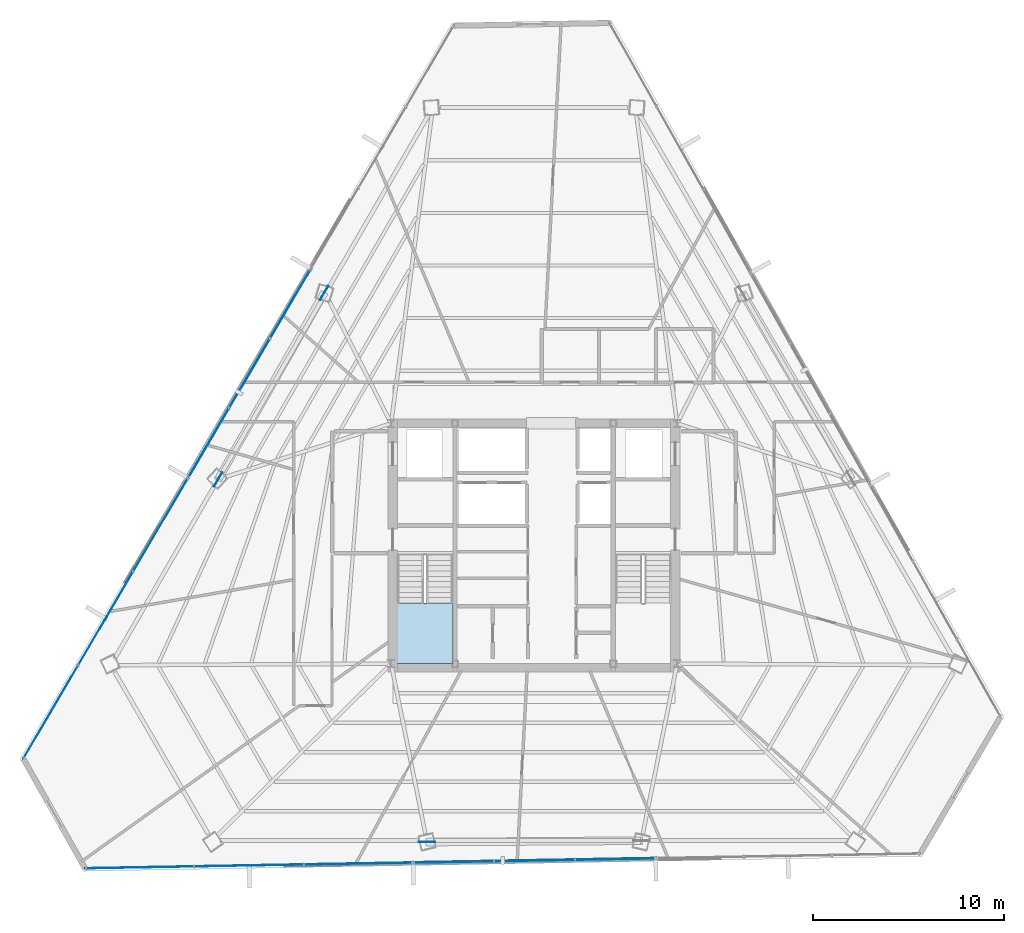
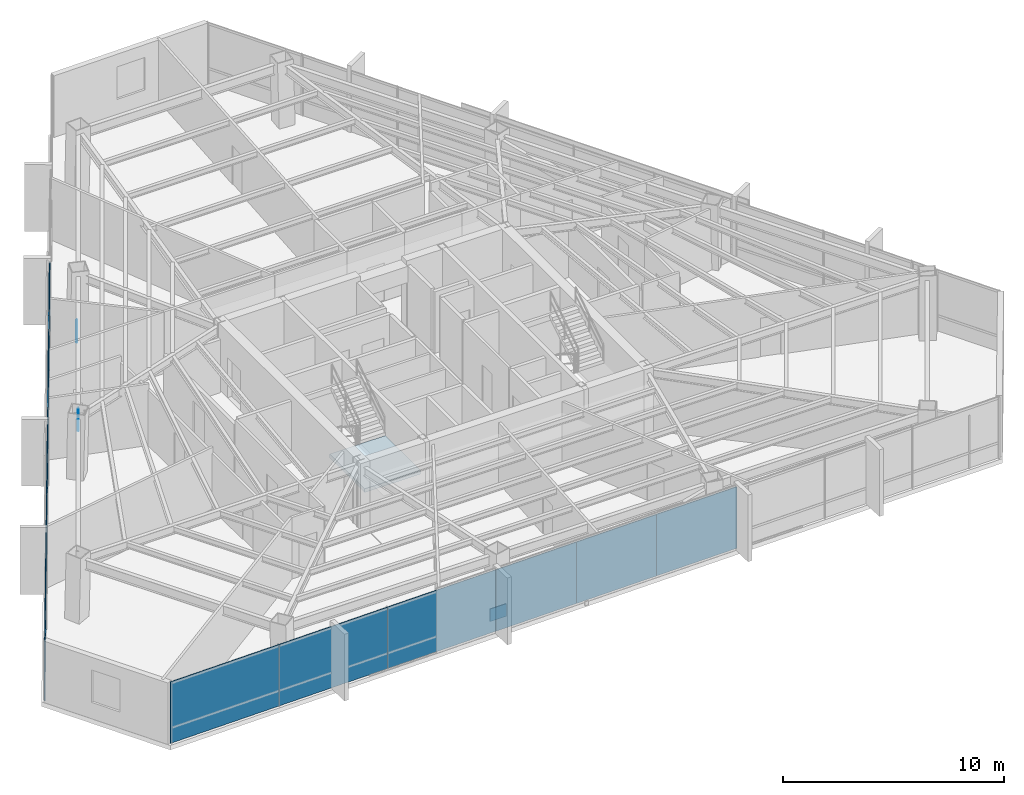
# One storey, part 33 of 42: 15 plates, 1 slab, 5 elements without a shape of their own.
"""IFC4 building model written with IfcOpenShell, lengths in metres."""

import ifcopenshell
import ifcopenshell.guid

model = None  # the IFC model being written
_history = None  # IfcOwnerHistory: only IFC2X3 demands one
_inside = {}  # id of a spatial element -> (the spatial element, [elements in it])
_under = {}  # id of a project, library or spatial element -> (it, [spatial elements below it])
_declared = {}  # id of a project -> (the project, [libraries it declares])
_typed = {}  # id of a type object -> (the type object, [elements of that type])
_made_of = {}  # id of a material, layer set ... -> (it, [elements and type objects made of it])


def new_model(schema):
    """Start an empty IFC model of exactly this schema.

    Asked for "IFC4X3", IfcOpenShell would pick the latest addendum, in which some entities
    have other attributes; the version numbers below select the first issue.
    IFC2X3 requires an IfcOwnerHistory on every rooted entity: one is made here for all.
    """
    global model, _history
    if schema == "IFC4X3":
        model = ifcopenshell.file(schema_version=(4, 3, 0, 0))
    else:
        model = ifcopenshell.file(schema=schema)
    _inside.clear()
    _under.clear()
    _declared.clear()
    _typed.clear()
    _made_of.clear()
    _history = None
    if model.schema == "IFC2X3":
        org = make("IfcOrganization", Name="unknown")
        user = make(
            "IfcPersonAndOrganization",
            ThePerson=make("IfcPerson", FamilyName="unknown"),
            TheOrganization=org,
        )
        app = make(
            "IfcApplication",
            ApplicationDeveloper=org,
            Version="unknown",
            ApplicationFullName="unknown",
            ApplicationIdentifier="unknown",
        )
        _history = make(
            "IfcOwnerHistory",
            OwningUser=user,
            OwningApplication=app,
            ChangeAction="ADDED",
            CreationDate=0,
        )
    return model


def make(cls, **values):
    """One entity of the class cls with the attributes given. An attribute that is None is left unset."""
    return model.create_entity(
        cls, **{name: value for name, value in values.items() if value is not None}
    )


def rooted(cls, **values):
    """An entity with a GlobalId (a new one), such as an element, a storey or a relation."""
    return make(cls, GlobalId=ifcopenshell.guid.new(), OwnerHistory=_history, **values)


def si_unit(unit_type, name, prefix=None):
    """IfcSIUnit, for example si_unit("LENGTHUNIT", "METRE", prefix="MILLI")."""
    return make("IfcSIUnit", UnitType=unit_type, Prefix=prefix, Name=name)


def assignment(units):
    """IfcUnitAssignment: the units of a project."""
    return None if units is None else make("IfcUnitAssignment", Units=units)


def point(xyz):
    """IfcCartesianPoint."""
    return None if xyz is None else make("IfcCartesianPoint", Coordinates=xyz)


def direction(xyz):
    """IfcDirection."""
    return None if xyz is None else make("IfcDirection", DirectionRatios=xyz)


def frame(location, z_axis=None, x_axis=None):
    """IfcAxis2Placement3D, a coordinate frame: its origin and axes. An axis left out is left unset."""
    return make(
        "IfcAxis2Placement3D",
        Location=point(location),
        Axis=direction(z_axis),
        RefDirection=direction(x_axis),
    )


def frame_2d(location, x_axis=None):
    """IfcAxis2Placement2D, a coordinate frame in the plane: its origin and x axis."""
    return make(
        "IfcAxis2Placement2D", Location=point(location), RefDirection=direction(x_axis)
    )


def origin():
    """The frame at (0, 0, 0) with its axes left unset."""
    return frame((0.0, 0.0, 0.0))


def origin_2d():
    """The frame at (0, 0) in the plane with its x axis left unset."""
    return frame_2d((0.0, 0.0))


def place(relative_to, where):
    """IfcLocalPlacement: puts the frame where relative to a parent placement (None: the world)."""
    return make(
        "IfcLocalPlacement", PlacementRelTo=relative_to, RelativePlacement=where
    )


def context(
    kind, dimensions, precision=None, world=None, true_north=None, identifier=None
):
    """IfcGeometricRepresentationContext, for example the 3D "Model" context."""
    return make(
        "IfcGeometricRepresentationContext",
        ContextIdentifier=identifier,
        ContextType=kind,
        CoordinateSpaceDimension=dimensions,
        Precision=precision,
        WorldCoordinateSystem=world,
        TrueNorth=true_north,
    )


def subcontext(parent, identifier, kind, view, scale=None):
    """IfcGeometricRepresentationSubContext, for example "Body" below "Model"."""
    return make(
        "IfcGeometricRepresentationSubContext",
        ContextIdentifier=identifier,
        ContextType=kind,
        ParentContext=parent,
        TargetScale=scale,
        TargetView=view,
    )


def project(units=None, contexts=None):
    """IfcProject with its units and contexts."""
    return rooted(
        "IfcProject",
        Name="project",
        RepresentationContexts=contexts,
        UnitsInContext=assignment(units),
    )


def spatial(cls, under=None, at=None, **own):
    """A site, building, storey or space (cls), placed at a placement, below another one or the project."""
    s = rooted(cls, ObjectPlacement=at, **own)
    if under is not None:
        _under.setdefault(under.id(), (under, []))[1].append(s)
    return s


def polyline(points):
    """IfcPolyline through the points."""
    return make("IfcPolyline", Points=[point(p) for p in points])


def profile(cls, at=None, kind="AREA", **sizes):
    """A parametric profile (cls). Its sizes go by their IFC names, for example OverallWidth=200.0."""
    return make(cls, ProfileType=kind, Position=at, **sizes)


def rectangle(**sizes):
    """IfcRectangleProfileDef."""
    return profile("IfcRectangleProfileDef", **sizes)


def outline(outer, holes=None, kind="AREA"):
    """IfcArbitraryClosedProfileDef: a profile drawn as a closed curve; with holes, ...WithVoids."""
    if holes is None:
        return make("IfcArbitraryClosedProfileDef", ProfileType=kind, OuterCurve=outer)
    return make(
        "IfcArbitraryProfileDefWithVoids",
        ProfileType=kind,
        OuterCurve=outer,
        InnerCurves=holes,
    )


def extrude(swept, where, along, depth):
    """IfcExtrudedAreaSolid: the profile swept, set in the frame where, extruded along a direction by depth."""
    return make(
        "IfcExtrudedAreaSolid",
        SweptArea=swept,
        Position=where,
        ExtrudedDirection=direction(along),
        Depth=depth,
    )


def shape(context_of_items, identifier, shape_type, items):
    """IfcShapeRepresentation: the items that make up one representation, for example the "Body"."""
    return make(
        "IfcShapeRepresentation",
        ContextOfItems=context_of_items,
        RepresentationIdentifier=identifier,
        RepresentationType=shape_type,
        Items=items,
    )


def source(mapping_origin, context_of_items, identifier, shape_type, items):
    """IfcRepresentationMap: a shape defined once, which mapped items show again and again."""
    return make(
        "IfcRepresentationMap",
        MappingOrigin=mapping_origin,
        MappedRepresentation=shape(context_of_items, identifier, shape_type, items),
    )


def transform(
    local_origin,
    x_axis=None,
    y_axis=None,
    z_axis=None,
    scale=None,
    scale2=None,
    scale3=None,
    uniform=True,
):
    """IfcCartesianTransformationOperator3D, or its non-uniform kind. x_axis, y_axis, z_axis: its Axis1, 2, 3."""
    if uniform:
        return make(
            "IfcCartesianTransformationOperator3D",
            Axis1=direction(x_axis),
            Axis2=direction(y_axis),
            LocalOrigin=point(local_origin),
            Scale=scale,
            Axis3=direction(z_axis),
        )
    return make(
        "IfcCartesianTransformationOperator3DnonUniform",
        Axis1=direction(x_axis),
        Axis2=direction(y_axis),
        LocalOrigin=point(local_origin),
        Scale=scale,
        Axis3=direction(z_axis),
        Scale2=scale2,
        Scale3=scale3,
    )


def mapped(mapping_source, mapping_target):
    """IfcMappedItem: shows the shape of a source again, moved by a transform."""
    return make(
        "IfcMappedItem", MappingSource=mapping_source, MappingTarget=mapping_target
    )


def material(Name=None, Category=None):
    """IfcMaterial."""
    return make("IfcMaterial", Name=Name, Category=Category)


def layer(
    of_material, thickness, ventilated=None, Name=None, Category=None, Priority=None
):
    """IfcMaterialLayer: one layer of a wall or slab, of a material (None: an air gap)."""
    return make(
        "IfcMaterialLayer",
        Material=of_material,
        LayerThickness=thickness,
        IsVentilated=ventilated,
        Name=Name,
        Category=Category,
        Priority=Priority,
    )


def layer_set(layers, Name=None):
    """IfcMaterialLayerSet."""
    return make("IfcMaterialLayerSet", MaterialLayers=layers, LayerSetName=Name)


def made_of(thing, what):
    """Note that an element or type object is made of a material, layer set ...; save() writes the relation."""
    if what is not None:
        _made_of.setdefault(what.id(), (what, []))[1].append(thing)
    return thing


def type_object(cls, material=None, **own):
    """A type object (cls), such as IfcWallType, which elements share."""
    return made_of(rooted(cls, **own), material)


def type_shapes(of_type, sources):
    """Give a type object the sources (RepresentationMaps) that its elements show as mapped items."""
    of_type.RepresentationMaps = sources


def element(
    cls,
    number,
    at=None,
    inside=None,
    cuts=None,
    type_object=None,
    material=None,
    context=None,
    identifier="Body",
    shape_type=None,
    held_by="IfcProductDefinitionShape",
    body=None,
    shapes=None,
    **own,
):
    """One element of the class cls, such as IfcWall. Its Tag is "e" and its number.

    at: its placement. inside: the storey or other place that contains it. cuts: it is an
    opening in that element (IfcRelVoidsElement). A single representation is given by context,
    identifier, shape_type and body (its items); several are given by shapes. held_by: the class
    of the entity that holds the representations. save() writes the other relations.
    """
    e = rooted(cls, Tag="e%d" % number, ObjectPlacement=at, **own)
    if body is not None:
        shapes = [shape(context, identifier, shape_type, body)]
    if shapes is not None:
        e.Representation = make(held_by, Representations=shapes)
    if inside is not None:
        _inside.setdefault(inside.id(), (inside, []))[1].append(e)
    if cuts is not None:
        rooted(
            "IfcRelVoidsElement", RelatingBuildingElement=cuts, RelatedOpeningElement=e
        )
    if type_object is not None:
        _typed.setdefault(type_object.id(), (type_object, []))[1].append(e)
    return made_of(e, material)


def aggregate(whole, parts):
    """IfcRelAggregates: a whole, such as a stair, and the parts it consists of."""
    return rooted("IfcRelAggregates", RelatingObject=whole, RelatedObjects=parts)


def save(model, path):
    """Write the relations noted so far, then the file.

    IfcRelAggregates (storeys below a building ...), IfcRelContainedInSpatialStructure (elements
    in a storey), IfcRelDefinesByType, IfcRelAssociatesMaterial and IfcRelDeclares: one each for
    every whole, place, type object, material and project.
    """
    for whole, parts in _under.values():
        aggregate(whole, parts)
    for where, things in _inside.values():
        rooted(
            "IfcRelContainedInSpatialStructure",
            RelatedElements=things,
            RelatingStructure=where,
        )
    for kind, things in _typed.values():
        rooted("IfcRelDefinesByType", RelatedObjects=things, RelatingType=kind)
    for what, things in _made_of.values():
        rooted("IfcRelAssociatesMaterial", RelatedObjects=things, RelatingMaterial=what)
    for by, libraries in _declared.values():
        rooted("IfcRelDeclares", RelatingContext=by, RelatedDefinitions=libraries)
    model.write(path)


model = new_model("IFC4")

# Units and contexts
model_context = context("Model", 3, precision=1e-05, world=origin(), true_north=direction((0.0, 1.0)))
body_context = subcontext(model_context, "Body", "Model", "MODEL_VIEW")
ifc_project = project(units=[si_unit("LENGTHUNIT", "METRE"), si_unit("AREAUNIT", "SQUARE_METRE"), si_unit("VOLUMEUNIT", "CUBIC_METRE"), si_unit("PLANEANGLEUNIT", "RADIAN"), si_unit("MASSUNIT", "GRAM", prefix="KILO")], contexts=[model_context])

# Site, building, storey
site_placement = place(None, origin())
site = spatial("IfcSite", under=ifc_project, at=site_placement, CompositionType="ELEMENT")
building_placement = place(site_placement, origin())
building = spatial("IfcBuilding", under=site, at=building_placement, Name="Caelisora Broadcast Tower", CompositionType="ELEMENT")
storey_placement = place(building_placement, frame((0.0, 0.0, 191.35009765625)))
storey = spatial("IfcBuildingStorey", under=building, at=storey_placement, Name="L50", CompositionType="ELEMENT", Elevation=191.35009765625)

# Stair, slab
ifc_material_1 = material(Name="Concrete 40 MPa (AS 3600 N40)", Category="concrete")
stair_type = type_object("IfcStairType", Name="ST-1", PredefinedType="HALF_TURN_STAIR", material=ifc_material_1)
stair_placement = place(storey_placement, origin())
stair = element("IfcStair", 1, at=stair_placement, inside=storey, type_object=stair_type, Name="L50 West Fire-Isolated Tower Stair", PredefinedType="HALF_TURN_STAIR")
ifc_layer_1 = layer(ifc_material_1, 0.199951171875, Name="Concrete 40 MPa (AS 3600 N40)")
ifc_layer_set_1 = layer_set([ifc_layer_1], Name="Concrete 40 MPa (AS 3600 N40)")
slab_type = type_object("IfcSlabType", Name="STL-1", PredefinedType="LANDING", material=ifc_layer_set_1)
slab_placement = place(storey_placement, frame((0.0, 0.0, 1.625)))
slab = element("IfcSlab", 2, at=slab_placement, type_object=slab_type, Name="ST-1 landing 1", PredefinedType="LANDING", context=body_context, shape_type="SweptSolid", body=[
    extrude(outline(polyline([(30.820068359375, 20.580078125), (30.820068359375, 17.39990234375), (33.739990234375, 17.39990234375), (33.739990234375, 20.580078125), (30.820068359375, 20.580078125)])), origin(), (0.0, 0.0, 1.0), 0.199951171875),
])
aggregate(stair, [slab])

# Plates
ifc_material_2 = material(Name="Steel Grade 350 L15 (AS/NZS 3678)", Category="steel")
ifc_layer_2 = layer(ifc_material_2, 0.0400390625, Name="Steel Grade 350 L15 (AS/NZS 3678)")
ifc_layer_set_2 = layer_set([ifc_layer_2], Name="Steel Grade 350 L15 (AS/NZS 3678)")
plate_type_1 = type_object("IfcPlateType", Name="GP04", PredefinedType="USERDEFINED", material=ifc_layer_set_2)
shared_shape_1 = source(origin(), body_context, "Body", "SweptSolid", [
    extrude(rectangle(XDim=0.85009765625, YDim=0.0400390625, at=origin_2d()), origin(), (0.0, 0.0, 1.0), 0.699951171875),
])
type_shapes(plate_type_1, [shared_shape_1])
for number, where, z_axis, x_axis, name in (
    (3, (26.987548828125, 36.8388671875, -0.22998046875), (0.0, 0.0, 1.0), (-0.5, -0.866025403784, 0.0), "L50 gusset plate GP04 (ND-L50-C02B)"),
    (4, (21.429443359375, 27.0673828125, 2.72998046875), (0.0, 0.0, 1.0), (-0.5, -0.866025403784, 0.0), "L50 gusset plate GP04 (ND-L50-C03T)"),
    (5, (32.387451171875, 8.04345703125, -0.22998046875), (0.0, 0.0, 1.0), (1.0, 0.0, 0.0), "L50 gusset plate GP04 (ND-L50-C06B)"),
):
    element("IfcPlate", number, at=place(storey_placement, frame(where, z_axis=z_axis, x_axis=x_axis)), inside=storey, type_object=plate_type_1, Name=name, ObjectType="GUSSET PLATE", PredefinedType="USERDEFINED", context=body_context, shape_type="MappedRepresentation", body=[
        mapped(shared_shape_1, transform((0.0, 0.0, 0.0), scale=1.0)),
    ])

# Curtain wall, plates
ifc_material_3 = material(Name="Unitised Aluminium Insulated Shadow-Box Spandrel Curtain Wall", Category="aluminium")
curtain_wall_type_1 = type_object("IfcCurtainWallType", Name="CW-SP2", PredefinedType="NOTDEFINED", material=ifc_material_3)
curtain_wall_1_placement = place(storey_placement, origin())
curtain_wall_1 = element("IfcCurtainWall", 6, at=curtain_wall_1_placement, inside=storey, type_object=curtain_wall_type_1, Name="L50 curtain wall CW-SP2", PredefinedType="NOTDEFINED")
ifc_material_4 = material(Name="Insulated Terracotta Shadow-Box Spandrel Panel", Category="aluminium")
ifc_layer_3 = layer(ifc_material_4, 0.0439453125, Name="Insulated Terracotta Shadow-Box Spandrel Panel")
ifc_layer_set_3 = layer_set([ifc_layer_3], Name="Insulated Terracotta Shadow-Box Spandrel Panel")
plate_type_2 = type_object("IfcPlateType", Name="CWP-10", PredefinedType="CURTAIN_PANEL", material=ifc_layer_set_3)
shared_shape_2 = source(origin(), body_context, "Body", "SweptSolid", [
    extrude(rectangle(XDim=4.23828125, YDim=0.0439453125, at=origin_2d()), origin(), (0.0, 0.0, 1.0), 3.39990234375),
])
plate_1_placement = place(storey_placement, frame((20.93212890625, 28.97119140625, 0.0), z_axis=(0.0, 0.0, 1.0), x_axis=(0.506334807353, 0.862336977557, 0.0)))
plate_1 = element("IfcPlate", 7, at=plate_1_placement, type_object=plate_type_2, Name="L50-CW-B10 spandrel panel #1", PredefinedType="CURTAIN_PANEL", context=body_context, shape_type="MappedRepresentation", body=[
    mapped(shared_shape_2, transform((0.0, 0.0, 0.0), scale=1.0)),
])
plate_2_placement = place(storey_placement, frame((23.078125, 32.6259765625, 0.0), z_axis=(0.0, 0.0, 1.0), x_axis=(0.506334807353, 0.862336977557, 0.0)))
plate_2 = element("IfcPlate", 8, at=plate_2_placement, type_object=plate_type_2, Name="L50-CW-B10 spandrel panel #2", PredefinedType="CURTAIN_PANEL", context=body_context, shape_type="MappedRepresentation", body=[
    mapped(shared_shape_2, transform((0.0, 0.0, 0.0), scale=1.0)),
])
plate_3_placement = place(storey_placement, frame((25.22412109375, 36.28076171875, 0.0), z_axis=(0.0, 0.0, 1.0), x_axis=(0.506334807353, 0.862336977557, 0.0)))
plate_3 = element("IfcPlate", 9, at=plate_3_placement, type_object=plate_type_2, Name="L50-CW-B10 spandrel panel #3", PredefinedType="CURTAIN_PANEL", context=body_context, shape_type="MappedRepresentation", body=[
    mapped(shared_shape_2, transform((0.0, 0.0, 0.0), scale=1.0)),
])
aggregate(curtain_wall_1, [plate_1, plate_2, plate_3])

curtain_wall_2_placement = place(storey_placement, origin())
curtain_wall_2 = element("IfcCurtainWall", 10, at=curtain_wall_2_placement, inside=storey, type_object=curtain_wall_type_1, Name="L50 curtain wall CW-SP2", PredefinedType="NOTDEFINED")
shared_shape_3 = source(origin(), body_context, "Body", "SweptSolid", [
    extrude(rectangle(XDim=4.23779296875, YDim=0.0439453125, at=origin_2d()), origin(), (0.0, 0.0, 1.0), 3.39990234375),
])
type_shapes(plate_type_2, [shared_shape_2, shared_shape_3])
plate_4_placement = place(storey_placement, frame((42.254150390625, 7.154296875, 0.0), z_axis=(0.0, 0.0, 1.0), x_axis=(-0.999844633908, -0.017626912514, 0.0)))
plate_4 = element("IfcPlate", 11, at=plate_4_placement, type_object=plate_type_2, Name="L50-CW-B06 spandrel panel #1", PredefinedType="CURTAIN_PANEL", context=body_context, shape_type="MappedRepresentation", body=[
    mapped(shared_shape_3, transform((0.0, 0.0, 0.0), scale=1.0)),
])
plate_5_placement = place(storey_placement, frame((38.01708984375, 7.079345703125, 0.0), z_axis=(0.0, 0.0, 1.0), x_axis=(-0.999844633908, -0.017626912514, 0.0)))
plate_5 = element("IfcPlate", 12, at=plate_5_placement, type_object=plate_type_2, Name="L50-CW-B06 spandrel panel #2", PredefinedType="CURTAIN_PANEL", context=body_context, shape_type="MappedRepresentation", body=[
    mapped(shared_shape_3, transform((0.0, 0.0, 0.0), scale=1.0)),
])
plate_6_placement = place(storey_placement, frame((33.77978515625, 7.00439453125, 0.0), z_axis=(0.0, 0.0, 1.0), x_axis=(-0.999844633908, -0.017626912514, 0.0)))
plate_6 = element("IfcPlate", 13, at=plate_6_placement, type_object=plate_type_2, Name="L50-CW-B06 spandrel panel #3", PredefinedType="CURTAIN_PANEL", context=body_context, shape_type="MappedRepresentation", body=[
    mapped(shared_shape_3, transform((0.0, 0.0, 0.0), scale=1.0)),
])
aggregate(curtain_wall_2, [plate_4, plate_5, plate_6])

ifc_material_5 = material(Name="Unitised Aluminium and Low-E Glass Curtain Wall", Category="glass")
curtain_wall_type_2 = type_object("IfcCurtainWallType", Name="CW-Z4", PredefinedType="NOTDEFINED", material=ifc_material_5)
curtain_wall_3_placement = place(storey_placement, origin())
curtain_wall_3 = element("IfcCurtainWall", 14, at=curtain_wall_3_placement, inside=storey, type_object=curtain_wall_type_2, Name="L50 curtain wall CW-Z4", PredefinedType="NOTDEFINED")
ifc_material_6 = material(Name="Double Glazed Low-E Argon IGU", Category="glass")
ifc_layer_4 = layer(ifc_material_6, 0.030029296875, Name="Double Glazed Low-E Argon IGU")
ifc_layer_set_4 = layer_set([ifc_layer_4], Name="Double Glazed Low-E Argon IGU")
plate_type_3 = type_object("IfcPlateType", Name="CWP-05", PredefinedType="CURTAIN_PANEL", material=ifc_layer_set_4)
shared_shape_4 = source(origin(), body_context, "Body", "SweptSolid", [
    extrude(rectangle(XDim=5.734375, YDim=0.030029296875, at=origin_2d()), origin(), (0.0, 0.0, 1.0), 3.39990234375),
])
plate_7_placement = place(storey_placement, frame((28.78466796875, 6.916259765625, 0.0), z_axis=(0.0, 0.0, 1.0), x_axis=(-0.999844633908, -0.017626912514, 0.0)))
plate_7 = element("IfcPlate", 15, at=plate_7_placement, type_object=plate_type_3, Name="L50-CW-B07 glazed panel #1", PredefinedType="CURTAIN_PANEL", context=body_context, shape_type="MappedRepresentation", body=[
    mapped(shared_shape_4, transform((0.0, 0.0, 0.0), scale=1.0)),
])
plate_8_placement = place(storey_placement, frame((23.05126953125, 6.81494140625, 0.0), z_axis=(0.0, 0.0, 1.0), x_axis=(-0.999844633908, -0.017626912514, 0.0)))
plate_8 = element("IfcPlate", 16, at=plate_8_placement, type_object=plate_type_3, Name="L50-CW-B07 glazed panel #2", PredefinedType="CURTAIN_PANEL", context=body_context, shape_type="MappedRepresentation", body=[
    mapped(shared_shape_4, transform((0.0, 0.0, 0.0), scale=1.0)),
])
plate_9_placement = place(storey_placement, frame((17.317626953125, 6.713623046875, 0.0), z_axis=(0.0, 0.0, 1.0), x_axis=(-0.999844633908, -0.017626912514, 0.0)))
plate_9 = element("IfcPlate", 17, at=plate_9_placement, type_object=plate_type_3, Name="L50-CW-B07 glazed panel #3", PredefinedType="CURTAIN_PANEL", context=body_context, shape_type="MappedRepresentation", body=[
    mapped(shared_shape_4, transform((0.0, 0.0, 0.0), scale=1.0)),
])
aggregate(curtain_wall_3, [plate_7, plate_8, plate_9])

curtain_wall_4_placement = place(storey_placement, origin())
curtain_wall_4 = element("IfcCurtainWall", 18, at=curtain_wall_4_placement, inside=storey, type_object=curtain_wall_type_2, Name="L50 curtain wall CW-Z4", PredefinedType="NOTDEFINED")
shared_shape_5 = source(origin(), body_context, "Body", "SweptSolid", [
    extrude(rectangle(XDim=5.690673828125, YDim=0.030029296875, at=origin_2d()), origin(), (0.0, 0.0, 1.0), 3.39990234375),
])
type_shapes(plate_type_3, [shared_shape_4, shared_shape_5])
plate_10_placement = place(storey_placement, frame((12.650634765625, 14.86669921875, 0.0), z_axis=(0.0, 0.0, 1.0), x_axis=(0.506334807353, 0.862336977557, 0.0)))
plate_10 = element("IfcPlate", 19, at=plate_10_placement, type_object=plate_type_3, Name="L50-CW-B09 glazed panel #1", PredefinedType="CURTAIN_PANEL", context=body_context, shape_type="MappedRepresentation", body=[
    mapped(shared_shape_5, transform((0.0, 0.0, 0.0), scale=1.0)),
])
plate_11_placement = place(storey_placement, frame((15.531982421875, 19.77392578125, 0.0), z_axis=(0.0, 0.0, 1.0), x_axis=(0.506334807353, 0.862336977557, 0.0)))
plate_11 = element("IfcPlate", 20, at=plate_11_placement, type_object=plate_type_3, Name="L50-CW-B09 glazed panel #2", PredefinedType="CURTAIN_PANEL", context=body_context, shape_type="MappedRepresentation", body=[
    mapped(shared_shape_5, transform((0.0, 0.0, 0.0), scale=1.0)),
])
plate_12_placement = place(storey_placement, frame((18.413330078125, 24.681396484375, 0.0), z_axis=(0.0, 0.0, 1.0), x_axis=(0.506334807353, 0.862336977557, 0.0)))
plate_12 = element("IfcPlate", 21, at=plate_12_placement, type_object=plate_type_3, Name="L50-CW-B09 glazed panel #3", PredefinedType="CURTAIN_PANEL", context=body_context, shape_type="MappedRepresentation", body=[
    mapped(shared_shape_5, transform((0.0, 0.0, 0.0), scale=1.0)),
])
aggregate(curtain_wall_4, [plate_10, plate_11, plate_12])

save(model, "model.ifc")
